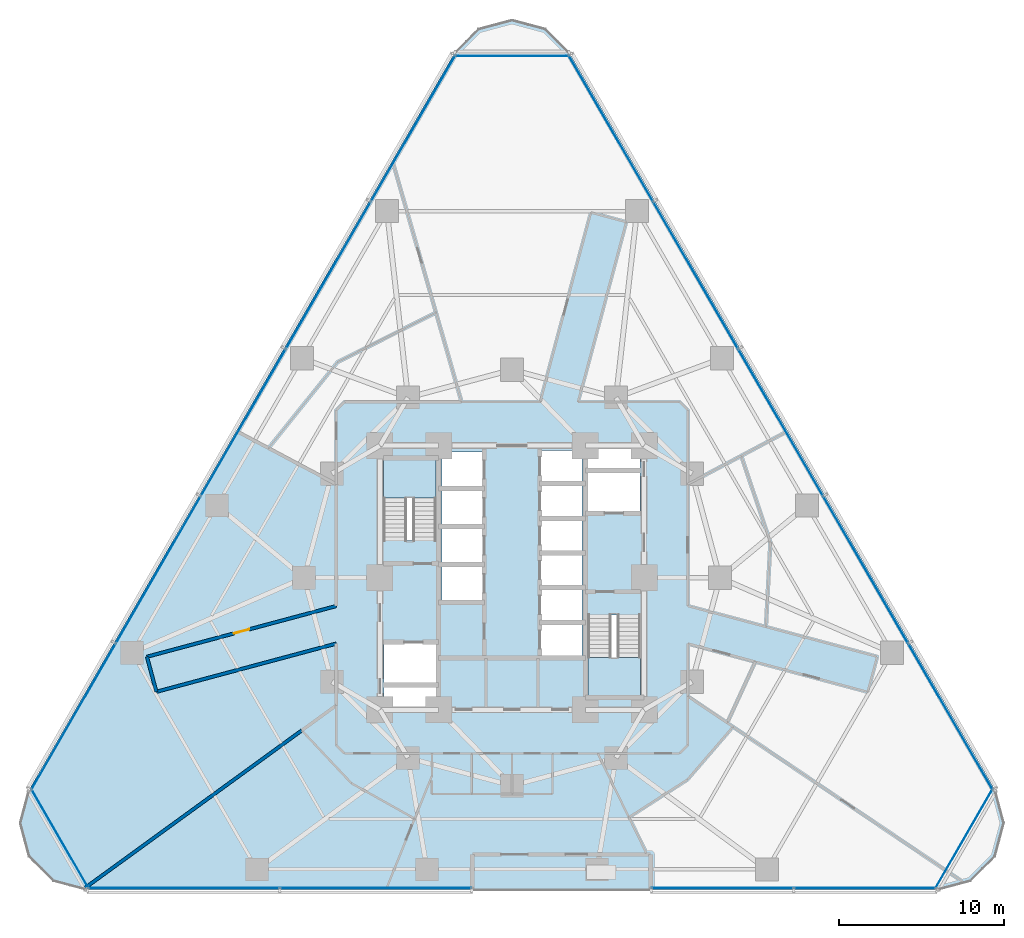
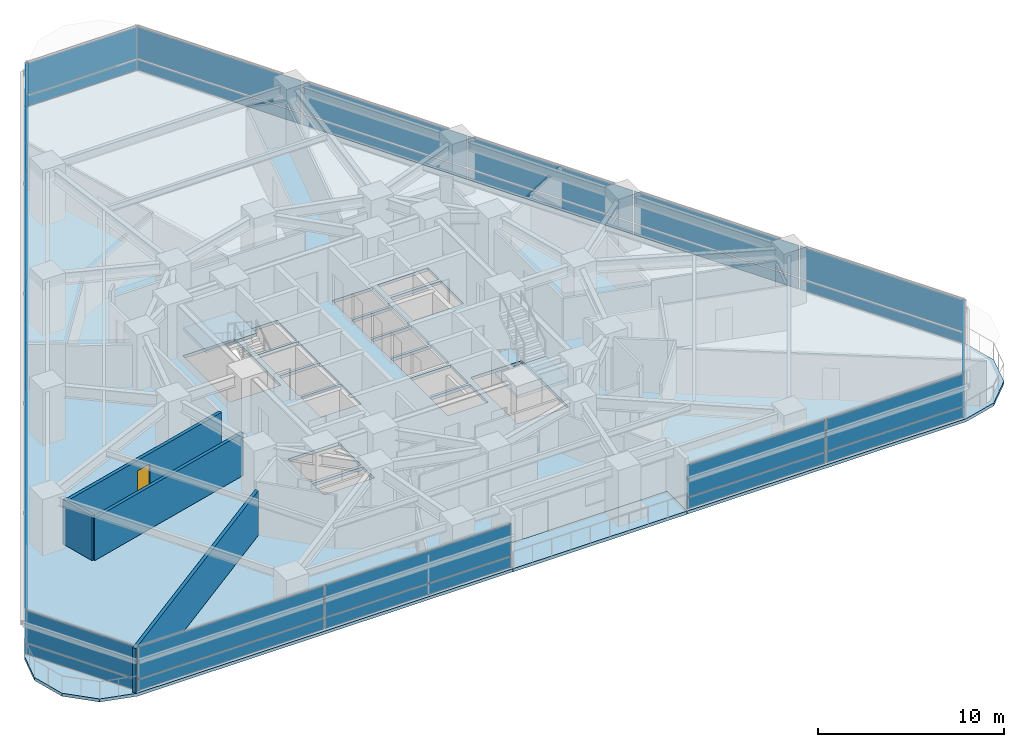
# One storey, part 7 of 16: 34 plates, 4 slabs, 4 walls, 1 door, 1 opening, 9 elements without a shape of their own.
"""IFC4 building model written with IfcOpenShell, lengths in metres."""

from ifc_helpers import new_model, si_unit, direction, frame, frame_2d, origin, origin_2d, place, context, subcontext, project, spatial, polyline, rectangle, outline, extrude, material, layer, layer_set, type_object, element, fill, aggregate, save


model = new_model("IFC4")

# Units and contexts
model_context = context("Model", 3, precision=1e-05, world=origin(), true_north=direction((0.0, 1.0)))
body_context = subcontext(model_context, "Body", "Model", "MODEL_VIEW")
ifc_project = project(units=[si_unit("LENGTHUNIT", "METRE"), si_unit("AREAUNIT", "SQUARE_METRE"), si_unit("VOLUMEUNIT", "CUBIC_METRE"), si_unit("PLANEANGLEUNIT", "RADIAN"), si_unit("MASSUNIT", "GRAM", prefix="KILO")], contexts=[model_context])

# Site, building, storey
site_placement = place(None, origin())
site = spatial("IfcSite", under=ifc_project, at=site_placement, CompositionType="ELEMENT")
building_placement = place(site_placement, origin())
building = spatial("IfcBuilding", under=site, at=building_placement, Name="Terralouvre Media Tower", CompositionType="ELEMENT")
storey_placement = place(building_placement, frame((0.0, 0.0, 44.5)))
storey = spatial("IfcBuildingStorey", under=building, at=storey_placement, Name="L10", CompositionType="ELEMENT", Elevation=44.5)

# Slabs
ifc_material_1 = material(Name="Concrete C40/50", Category="concrete")
ifc_layer_1 = layer(ifc_material_1, 0.199951171875, Name="Composite Tower Floor Slab S-TYP200")
ifc_layer_set_1 = layer_set([ifc_layer_1], Name="Concrete C40/50")
slab_type_1 = type_object("IfcSlabType", Name="Composite Tower Floor Slab S-TYP200", PredefinedType="FLOOR", material=ifc_layer_set_1)
slab_1_placement = place(storey_placement, frame((0.0, 0.0, -0.199951171875)))
element("IfcSlab", 1, at=slab_1_placement, inside=storey, type_object=slab_type_1, Name="L10 Structural Floor Slab", PredefinedType="FLOOR", context=body_context, shape_type="SweptSolid", body=[
    extrude(outline(polyline([(-25.75, -18.916748046875), (-2.39990234375, -18.916748046875), (-2.39990234375, -16.766845703125), (8.39990234375, -16.766845703125), (8.39990234375, -18.916748046875), (25.75, -18.916748046875), (27.77490234375, -18.374267578125), (29.25732421875, -16.891845703125), (29.800048828125, -14.86669921875), (29.25732421875, -12.841796875), (3.50732421875, 31.758544921875), (2.02490234375, 33.240966796875), (0.0, 33.783447265625), (-2.02490234375, 33.240966796875), (-3.50732421875, 31.758544921875), (-29.25732421875, -12.841796875), (-29.800048828125, -14.86669921875), (-29.25732421875, -16.891845703125), (-27.77490234375, -18.374267578125), (-25.75, -18.916748046875)]), holes=[polyline([(-4.60009765625, -7.800048828125), (-7.75, -7.800048828125), (-7.75, -6.60009765625), (-4.60009765625, -6.60009765625), (-4.60009765625, -7.800048828125)]), polyline([(-4.60009765625, -6.39990234375), (-7.75, -6.39990234375), (-7.75, -3.949951171875), (-4.60009765625, -3.949951171875), (-4.60009765625, -6.39990234375)]), polyline([(-1.75, -1.419921875), (-4.25, -1.419921875), (-4.25, 0.719970703125), (-1.75, 0.719970703125), (-1.75, -1.419921875)]), polyline([(-1.75, 0.8798828125), (-4.25, 0.8798828125), (-4.25, 3.02001953125), (-1.75, 3.02001953125), (-1.75, 0.8798828125)]), polyline([(4.25, 1.580078125), (1.75, 1.580078125), (1.75, 3.52001953125), (4.25, 3.52001953125), (4.25, 1.580078125)]), polyline([(-1.75, 3.179931640625), (-4.25, 3.179931640625), (-4.25, 5.320068359375), (-1.75, 5.320068359375), (-1.75, 3.179931640625)]), polyline([(-4.60009765625, 2.2451171875), (-7.780029296875, 2.2451171875), (-7.780029296875, 7.260009765625), (-4.60009765625, 7.260009765625), (-4.60009765625, 2.2451171875)]), polyline([(-1.75, 5.47998046875), (-4.25, 5.47998046875), (-4.25, 7.6201171875), (-1.75, 7.6201171875), (-1.75, 5.47998046875)]), polyline([(4.60009765625, -2.2451171875), (7.780029296875, -2.2451171875), (7.780029296875, -7.260009765625), (4.60009765625, -7.260009765625), (4.60009765625, -2.2451171875)]), polyline([(4.25, -4.719970703125), (1.75, -4.719970703125), (1.75, -2.780029296875), (4.25, -2.780029296875), (4.25, -4.719970703125)]), polyline([(4.25, -2.6201171875), (1.75, -2.6201171875), (1.75, -0.679931640625), (4.25, -0.679931640625), (4.25, -2.6201171875)]), polyline([(4.25, -0.52001953125), (1.75, -0.52001953125), (1.75, 1.419921875), (4.25, 1.419921875), (4.25, -0.52001953125)]), polyline([(4.25, 3.679931640625), (1.75, 3.679931640625), (1.75, 5.6201171875), (4.25, 5.6201171875), (4.25, 3.679931640625)]), polyline([(7.75, 3.949951171875), (4.60009765625, 3.949951171875), (4.60009765625, 6.39990234375), (7.75, 6.39990234375), (7.75, 3.949951171875)]), polyline([(4.25, 5.780029296875), (1.75, 5.780029296875), (1.75, 7.719970703125), (4.25, 7.719970703125), (4.25, 5.780029296875)]), polyline([(7.75, 6.60009765625), (4.60009765625, 6.60009765625), (4.60009765625, 7.800048828125), (7.75, 7.800048828125), (7.75, 6.60009765625)])]), origin(), (0.0, 0.0, 1.0), 0.199951171875),
])
ifc_material_2 = material(Name="Concrete C45/55", Category="concrete")
ifc_layer_2 = layer(ifc_material_2, 0.2099609375, Name="Planted Sky-Garden External Deck S-TER210")
ifc_layer_set_2 = layer_set([ifc_layer_2], Name="Concrete C45/55")
slab_type_2 = type_object("IfcSlabType", Name="Planted Sky-Garden External Deck S-TER210", PredefinedType="FLOOR", material=ifc_layer_set_2)
slab_2_placement = place(storey_placement, frame((0.0, 0.0, -0.2099609375)))
element("IfcSlab", 2, at=slab_2_placement, inside=storey, type_object=slab_type_2, Name="L10 Helical Planted Sky-Garden Deck 02", PredefinedType="FLOOR", context=body_context, shape_type="SweptSolid", body=[
    extrude(outline(polyline([(-2.39990234375, -18.916748046875), (8.39990234375, -18.916748046875), (8.39990234375, -16.766845703125), (-2.39990234375, -16.766845703125), (-2.39990234375, -18.916748046875)])), origin(), (0.0, 0.0, 1.0), 0.2099609375),
])

# Stair, slab
ifc_material_3 = material(Name="Concrete C45/55", Category="concrete")
stair_type_1 = type_object("IfcStairType", Name="Dogleg Stair Assembly ST-01", PredefinedType="HALF_TURN_STAIR", material=ifc_material_3)
stair_1_placement = place(storey_placement, origin())
stair_1 = element("IfcStair", 3, at=stair_1_placement, inside=storey, type_object=stair_type_1, Name="L10 Core Pressurised Exit Stair ST-01", PredefinedType="HALF_TURN_STAIR")
ifc_material_4 = material(Name="Concrete C45/55", Category="concrete")
ifc_layer_3 = layer(ifc_material_4, 0.199951171875, Name="Reinforced Concrete Stair Half-Landing SL-LD1")
ifc_layer_set_3 = layer_set([ifc_layer_3], Name="Concrete C45/55")
slab_type_3 = type_object("IfcSlabType", Name="Reinforced Concrete Stair Half-Landing SL-LD1", PredefinedType="LANDING", material=ifc_layer_set_3)
slab_3_placement = place(storey_placement, frame((0.0, 0.0, 1.64990234375)))
slab_3 = element("IfcSlab", 4, at=slab_3_placement, type_object=slab_type_3, Name="ST-01 landing 1", PredefinedType="LANDING", context=body_context, shape_type="SweptSolid", body=[
    extrude(outline(polyline([(-4.60009765625, 4.820068359375), (-4.60009765625, 7.260009765625), (-7.780029296875, 7.260009765625), (-7.780029296875, 4.820068359375), (-4.60009765625, 4.820068359375)])), origin(), (0.0, 0.0, 1.0), 0.2001953125),
])
aggregate(stair_1, [slab_3])

ifc_material_5 = material(Name="Concrete C45/55", Category="concrete")
stair_type_2 = type_object("IfcStairType", Name="Dogleg Stair Assembly ST-02", PredefinedType="HALF_TURN_STAIR", material=ifc_material_5)
stair_2_placement = place(storey_placement, origin())
stair_2 = element("IfcStair", 5, at=stair_2_placement, inside=storey, type_object=stair_type_2, Name="L10 Core Pressurised Exit Stair ST-02", PredefinedType="HALF_TURN_STAIR")
slab_4_placement = place(storey_placement, frame((0.0, 0.0, 1.64990234375)))
slab_4 = element("IfcSlab", 6, at=slab_4_placement, type_object=slab_type_3, Name="ST-02 landing 1", PredefinedType="LANDING", context=body_context, shape_type="SweptSolid", body=[
    extrude(outline(polyline([(4.60009765625, -4.820068359375), (4.60009765625, -7.260009765625), (7.780029296875, -7.260009765625), (7.780029296875, -4.820068359375), (4.60009765625, -4.820068359375)])), origin(), (0.0, 0.0, 1.0), 0.2001953125),
])
aggregate(stair_2, [slab_4])

# Curtain wall, plates
ifc_material_6 = material(Name="Low-iron laminated double glazing with solar-control coating", Category="glass")
ifc_layer_4 = layer(ifc_material_6, 0.1650390625, Name="Rounded Wind-Corner Curved Glazing CW-04")
ifc_layer_set_4 = layer_set([ifc_layer_4], Name="Low-iron laminated double glazing with solar-control coating")
curtain_wall_type_1 = type_object("IfcCurtainWallType", Name="Rounded Wind-Corner Curved Glazing CW-04", PredefinedType="NOTDEFINED", material=ifc_layer_set_4)
curtain_wall_1_placement = place(storey_placement, origin())
curtain_wall_1 = element("IfcCurtainWall", 7, at=curtain_wall_1_placement, inside=storey, type_object=curtain_wall_type_1, Name="L10 Rounded Wind-Corner Curtain Wall C0", PredefinedType="NOTDEFINED")
ifc_material_7 = material(Name="Low-iron laminated double glazing with solar-control coating", Category="glass")
ifc_layer_5 = layer(ifc_material_7, 0.0400390625, Name="Rounded Corner Laminated Vision Panel CWP-03")
ifc_layer_set_5 = layer_set([ifc_layer_5], Name="Low-iron laminated double glazing with solar-control coating")
plate_type_1 = type_object("IfcPlateType", Name="Rounded Corner Laminated Vision Panel CWP-03", PredefinedType="CURTAIN_PANEL", material=ifc_layer_set_5)
plate_1_placement = place(storey_placement, frame((-27.382568359375, -15.809326171875, 0.074951171875), z_axis=(0.0, 0.0, 1.0), x_axis=(0.499999691503, -0.866025581895, 0.0)))
plate_1 = element("IfcPlate", 8, at=plate_1_placement, type_object=plate_type_1, Name="CW-04 panel 1.1", PredefinedType="CURTAIN_PANEL", context=body_context, shape_type="SweptSolid", body=[
    extrude(rectangle(XDim=6.86474609375, YDim=0.035888671875, at=origin_2d()), origin(), (0.0, 0.0, 1.0), 0.6875),
])
plate_2_placement = place(storey_placement, frame((-27.382568359375, -15.809326171875, 0.837646484375), z_axis=(0.0, 0.0, 1.0), x_axis=(0.499999691503, -0.866025581895, 0.0)))
plate_2 = element("IfcPlate", 9, at=plate_2_placement, type_object=plate_type_1, Name="CW-04 panel 1.2", PredefinedType="CURTAIN_PANEL", context=body_context, shape_type="SweptSolid", body=[
    extrude(rectangle(XDim=6.86474609375, YDim=0.035888671875, at=origin_2d()), origin(), (0.0, 0.0, 1.0), 2.08740234375),
])
aggregate(curtain_wall_1, [plate_1, plate_2])

curtain_wall_2_placement = place(storey_placement, origin())
curtain_wall_2 = element("IfcCurtainWall", 10, at=curtain_wall_2_placement, inside=storey, type_object=curtain_wall_type_1, Name="L10 Rounded Wind-Corner Curtain Wall C1", PredefinedType="NOTDEFINED")
plate_3_placement = place(storey_placement, frame((27.382568359375, -15.809326171875, 0.074951171875), z_axis=(0.0, 0.0, 1.0), x_axis=(0.499999691503, 0.866025581895, 0.0)))
plate_3 = element("IfcPlate", 11, at=plate_3_placement, type_object=plate_type_1, Name="CW-04 panel 1.1", PredefinedType="CURTAIN_PANEL", context=body_context, shape_type="SweptSolid", body=[
    extrude(rectangle(XDim=6.86474609375, YDim=0.035888671875, at=origin_2d()), origin(), (0.0, 0.0, 1.0), 0.6875),
])
plate_4_placement = place(storey_placement, frame((27.382568359375, -15.809326171875, 0.837646484375), z_axis=(0.0, 0.0, 1.0), x_axis=(0.499999691503, 0.866025581895, 0.0)))
plate_4 = element("IfcPlate", 12, at=plate_4_placement, type_object=plate_type_1, Name="CW-04 panel 1.2", PredefinedType="CURTAIN_PANEL", context=body_context, shape_type="SweptSolid", body=[
    extrude(rectangle(XDim=6.86474609375, YDim=0.035888671875, at=origin_2d()), origin(), (0.0, 0.0, 1.0), 2.08740234375),
])
aggregate(curtain_wall_2, [plate_3, plate_4])

curtain_wall_3_placement = place(storey_placement, origin())
curtain_wall_3 = element("IfcCurtainWall", 13, at=curtain_wall_3_placement, inside=storey, type_object=curtain_wall_type_1, Name="L10 Rounded Wind-Corner Curtain Wall C2", PredefinedType="NOTDEFINED")
plate_5_placement = place(storey_placement, frame((0.0, 31.61865234375, 0.074951171875), z_axis=(0.0, 0.0, 1.0), x_axis=(-1.0, 0.0, 0.0)))
plate_5 = element("IfcPlate", 14, at=plate_5_placement, type_object=plate_type_1, Name="CW-04 panel 1.1", PredefinedType="CURTAIN_PANEL", context=body_context, shape_type="SweptSolid", body=[
    extrude(rectangle(XDim=6.86474609375, YDim=0.035888671875, at=origin_2d()), origin(), (0.0, 0.0, 1.0), 0.6875),
])
plate_6_placement = place(storey_placement, frame((0.0, 31.61865234375, 0.837646484375), z_axis=(0.0, 0.0, 1.0), x_axis=(-1.0, 0.0, 0.0)))
plate_6 = element("IfcPlate", 15, at=plate_6_placement, type_object=plate_type_1, Name="CW-04 panel 1.2", PredefinedType="CURTAIN_PANEL", context=body_context, shape_type="SweptSolid", body=[
    extrude(rectangle(XDim=6.86474609375, YDim=0.035888671875, at=origin_2d()), origin(), (0.0, 0.0, 1.0), 2.08740234375),
])
aggregate(curtain_wall_3, [plate_5, plate_6])

ifc_material_8 = material(Name="Low-iron laminated double glazing with solar-control coating", Category="glass")
ifc_layer_6 = layer(ifc_material_8, 0.1650390625, Name="Lower Media Tower Unitised Curtain Wall CW-02")
ifc_layer_set_6 = layer_set([ifc_layer_6], Name="Low-iron laminated double glazing with solar-control coating")
curtain_wall_type_2 = type_object("IfcCurtainWallType", Name="Lower Media Tower Unitised Curtain Wall CW-02", PredefinedType="NOTDEFINED", material=ifc_layer_set_6)
curtain_wall_4_placement = place(storey_placement, origin())
curtain_wall_4 = element("IfcCurtainWall", 16, at=curtain_wall_4_placement, inside=storey, type_object=curtain_wall_type_2, Name="L10 Left Flank Curtain Wall F0", PredefinedType="NOTDEFINED")
ifc_material_9 = material(Name="Low-iron laminated double glazing with solar-control coating", Category="glass")
ifc_layer_7 = layer(ifc_material_9, 0.035888671875, Name="Vision Double-Glazed Unit CWP-01")
ifc_layer_set_7 = layer_set([ifc_layer_7], Name="Low-iron laminated double glazing with solar-control coating")
plate_type_2 = type_object("IfcPlateType", Name="Vision Double-Glazed Unit CWP-01", PredefinedType="CURTAIN_PANEL", material=ifc_layer_set_7)
plate_7_placement = place(storey_placement, frame((-19.893798828125, -18.796875, 0.074951171875), z_axis=(0.0, 0.0, 1.0), x_axis=(1.0, 0.0, 0.0)))
plate_7 = element("IfcPlate", 17, at=plate_7_placement, type_object=plate_type_2, Name="CW-02 panel 1.1", PredefinedType="CURTAIN_PANEL", context=body_context, shape_type="SweptSolid", body=[
    extrude(rectangle(XDim=11.5625, YDim=0.035888671875, at=origin_2d()), origin(), (0.0, 0.0, 1.0), 0.6875),
])
plate_8_placement = place(storey_placement, frame((-19.893798828125, -18.796875, 0.837646484375), z_axis=(0.0, 0.0, 1.0), x_axis=(1.0, 0.0, 0.0)))
plate_8 = element("IfcPlate", 18, at=plate_8_placement, type_object=plate_type_2, Name="CW-02 panel 1.2", PredefinedType="CURTAIN_PANEL", context=body_context, shape_type="SweptSolid", body=[
    extrude(rectangle(XDim=11.5625, YDim=0.035888671875, at=origin_2d()), origin(), (0.0, 0.0, 1.0), 2.08740234375),
])
plate_9_placement = place(storey_placement, frame((-8.25634765625, -18.796875, 0.074951171875), z_axis=(0.0, 0.0, 1.0), x_axis=(1.0, 0.0, 0.0)))
plate_9 = element("IfcPlate", 19, at=plate_9_placement, type_object=plate_type_2, Name="CW-02 panel 2.1", PredefinedType="CURTAIN_PANEL", context=body_context, shape_type="SweptSolid", body=[
    extrude(rectangle(XDim=11.5625, YDim=0.035888671875, at=origin_2d()), origin(), (0.0, 0.0, 1.0), 0.6875),
])
plate_10_placement = place(storey_placement, frame((-8.25634765625, -18.796875, 0.837646484375), z_axis=(0.0, 0.0, 1.0), x_axis=(1.0, 0.0, 0.0)))
plate_10 = element("IfcPlate", 20, at=plate_10_placement, type_object=plate_type_2, Name="CW-02 panel 2.2", PredefinedType="CURTAIN_PANEL", context=body_context, shape_type="SweptSolid", body=[
    extrude(rectangle(XDim=11.5625, YDim=0.035888671875, at=origin_2d()), origin(), (0.0, 0.0, 1.0), 2.08740234375),
])
aggregate(curtain_wall_4, [plate_7, plate_8, plate_9, plate_10])

curtain_wall_5_placement = place(storey_placement, origin())
curtain_wall_5 = element("IfcCurtainWall", 21, at=curtain_wall_5_placement, inside=storey, type_object=curtain_wall_type_2, Name="L10 Right Flank Curtain Wall F0", PredefinedType="NOTDEFINED")
plate_11_placement = place(storey_placement, frame((12.75634765625, -18.796875, 0.074951171875), z_axis=(0.0, 0.0, 1.0), x_axis=(1.0, 0.0, 0.0)))
plate_11 = element("IfcPlate", 22, at=plate_11_placement, type_object=plate_type_2, Name="CW-02 panel 1.1", PredefinedType="CURTAIN_PANEL", context=body_context, shape_type="SweptSolid", body=[
    extrude(rectangle(XDim=8.5625, YDim=0.035888671875, at=origin_2d()), origin(), (0.0, 0.0, 1.0), 0.6875),
])
plate_12_placement = place(storey_placement, frame((12.75634765625, -18.796875, 0.837646484375), z_axis=(0.0, 0.0, 1.0), x_axis=(1.0, 0.0, 0.0)))
plate_12 = element("IfcPlate", 23, at=plate_12_placement, type_object=plate_type_2, Name="CW-02 panel 1.2", PredefinedType="CURTAIN_PANEL", context=body_context, shape_type="SweptSolid", body=[
    extrude(rectangle(XDim=8.5625, YDim=0.035888671875, at=origin_2d()), origin(), (0.0, 0.0, 1.0), 2.08740234375),
])
plate_13_placement = place(storey_placement, frame((21.393798828125, -18.796875, 0.074951171875), z_axis=(0.0, 0.0, 1.0), x_axis=(1.0, 0.0, 0.0)))
plate_13 = element("IfcPlate", 24, at=plate_13_placement, type_object=plate_type_2, Name="CW-02 panel 2.1", PredefinedType="CURTAIN_PANEL", context=body_context, shape_type="SweptSolid", body=[
    extrude(rectangle(XDim=8.5625, YDim=0.035888671875, at=origin_2d()), origin(), (0.0, 0.0, 1.0), 0.6875),
])
plate_14_placement = place(storey_placement, frame((21.393798828125, -18.796875, 0.837646484375), z_axis=(0.0, 0.0, 1.0), x_axis=(1.0, 0.0, 0.0)))
plate_14 = element("IfcPlate", 25, at=plate_14_placement, type_object=plate_type_2, Name="CW-02 panel 2.2", PredefinedType="CURTAIN_PANEL", context=body_context, shape_type="SweptSolid", body=[
    extrude(rectangle(XDim=8.5625, YDim=0.035888671875, at=origin_2d()), origin(), (0.0, 0.0, 1.0), 2.08740234375),
])
aggregate(curtain_wall_5, [plate_11, plate_12, plate_13, plate_14])

curtain_wall_6_placement = place(storey_placement, origin())
curtain_wall_6 = element("IfcCurtainWall", 26, at=curtain_wall_6_placement, inside=storey, type_object=curtain_wall_type_2, Name="L10 Facade Curtain Wall F1", PredefinedType="NOTDEFINED")
plate_15_placement = place(storey_placement, frame((26.569091796875, -8.425537109375, 0.074951171875), z_axis=(0.0, 0.0, 1.0), x_axis=(-0.499999985671, 0.866025412057, 0.0)))
plate_15 = element("IfcPlate", 27, at=plate_15_placement, type_object=plate_type_2, Name="CW-02 panel 1.1", PredefinedType="CURTAIN_PANEL", context=body_context, shape_type="SweptSolid", body=[
    extrude(rectangle(XDim=10.1875, YDim=0.035888671875, at=origin_2d()), origin(), (0.0, 0.0, 1.0), 0.6875),
])
plate_16_placement = place(storey_placement, frame((26.569091796875, -8.425537109375, 0.837646484375), z_axis=(0.0, 0.0, 1.0), x_axis=(-0.499999985671, 0.866025412057, 0.0)))
plate_16 = element("IfcPlate", 28, at=plate_16_placement, type_object=plate_type_2, Name="CW-02 panel 1.2", PredefinedType="CURTAIN_PANEL", context=body_context, shape_type="SweptSolid", body=[
    extrude(rectangle(XDim=10.1875, YDim=0.035888671875, at=origin_2d()), origin(), (0.0, 0.0, 1.0), 2.08740234375),
])
plate_17_placement = place(storey_placement, frame((21.428466796875, 0.478271484375, 0.074951171875), z_axis=(0.0, 0.0, 1.0), x_axis=(-0.499999985671, 0.866025412057, 0.0)))
plate_17 = element("IfcPlate", 29, at=plate_17_placement, type_object=plate_type_2, Name="CW-02 panel 2.1", PredefinedType="CURTAIN_PANEL", context=body_context, shape_type="SweptSolid", body=[
    extrude(rectangle(XDim=10.22509765625, YDim=0.035888671875, at=origin_2d()), origin(), (0.0, 0.0, 1.0), 0.6875),
])
plate_18_placement = place(storey_placement, frame((21.428466796875, 0.478271484375, 0.837646484375), z_axis=(0.0, 0.0, 1.0), x_axis=(-0.499999985671, 0.866025412057, 0.0)))
plate_18 = element("IfcPlate", 30, at=plate_18_placement, type_object=plate_type_2, Name="CW-02 panel 2.2", PredefinedType="CURTAIN_PANEL", context=body_context, shape_type="SweptSolid", body=[
    extrude(rectangle(XDim=10.22509765625, YDim=0.035888671875, at=origin_2d()), origin(), (0.0, 0.0, 1.0), 2.08740234375),
])
plate_19_placement = place(storey_placement, frame((16.278564453125, 9.3984375, 0.074951171875), z_axis=(0.0, 0.0, 1.0), x_axis=(-0.499999985671, 0.866025412057, 0.0)))
plate_19 = element("IfcPlate", 31, at=plate_19_placement, type_object=plate_type_2, Name="CW-02 panel 3.1", PredefinedType="CURTAIN_PANEL", context=body_context, shape_type="SweptSolid", body=[
    extrude(rectangle(XDim=10.22509765625, YDim=0.035888671875, at=origin_2d()), origin(), (0.0, 0.0, 1.0), 0.6875),
])
plate_20_placement = place(storey_placement, frame((16.278564453125, 9.3984375, 0.837646484375), z_axis=(0.0, 0.0, 1.0), x_axis=(-0.499999985671, 0.866025412057, 0.0)))
plate_20 = element("IfcPlate", 32, at=plate_20_placement, type_object=plate_type_2, Name="CW-02 panel 3.2", PredefinedType="CURTAIN_PANEL", context=body_context, shape_type="SweptSolid", body=[
    extrude(rectangle(XDim=10.22509765625, YDim=0.035888671875, at=origin_2d()), origin(), (0.0, 0.0, 1.0), 2.08740234375),
])
plate_21_placement = place(storey_placement, frame((11.12841796875, 18.318359375, 0.074951171875), z_axis=(0.0, 0.0, 1.0), x_axis=(-0.499999985671, 0.866025412057, 0.0)))
plate_21 = element("IfcPlate", 33, at=plate_21_placement, type_object=plate_type_2, Name="CW-02 panel 4.1", PredefinedType="CURTAIN_PANEL", context=body_context, shape_type="SweptSolid", body=[
    extrude(rectangle(XDim=10.22509765625, YDim=0.035888671875, at=origin_2d()), origin(), (0.0, 0.0, 1.0), 0.6875),
])
plate_22_placement = place(storey_placement, frame((11.12841796875, 18.318359375, 0.837646484375), z_axis=(0.0, 0.0, 1.0), x_axis=(-0.499999985671, 0.866025412057, 0.0)))
plate_22 = element("IfcPlate", 34, at=plate_22_placement, type_object=plate_type_2, Name="CW-02 panel 4.2", PredefinedType="CURTAIN_PANEL", context=body_context, shape_type="SweptSolid", body=[
    extrude(rectangle(XDim=10.22509765625, YDim=0.035888671875, at=origin_2d()), origin(), (0.0, 0.0, 1.0), 2.08740234375),
])
plate_23_placement = place(storey_placement, frame((5.98779296875, 27.22216796875, 0.074951171875), z_axis=(0.0, 0.0, 1.0), x_axis=(-0.499999985671, 0.866025412057, 0.0)))
plate_23 = element("IfcPlate", 35, at=plate_23_placement, type_object=plate_type_2, Name="CW-02 panel 5.1", PredefinedType="CURTAIN_PANEL", context=body_context, shape_type="SweptSolid", body=[
    extrude(rectangle(XDim=10.1875, YDim=0.035888671875, at=origin_2d()), origin(), (0.0, 0.0, 1.0), 0.6875),
])
plate_24_placement = place(storey_placement, frame((5.98779296875, 27.22216796875, 0.837646484375), z_axis=(0.0, 0.0, 1.0), x_axis=(-0.499999985671, 0.866025412057, 0.0)))
plate_24 = element("IfcPlate", 36, at=plate_24_placement, type_object=plate_type_2, Name="CW-02 panel 5.2", PredefinedType="CURTAIN_PANEL", context=body_context, shape_type="SweptSolid", body=[
    extrude(rectangle(XDim=10.1875, YDim=0.035888671875, at=origin_2d()), origin(), (0.0, 0.0, 1.0), 2.08740234375),
])
aggregate(curtain_wall_6, [plate_15, plate_16, plate_17, plate_18, plate_19, plate_20, plate_21, plate_22, plate_23, plate_24])

curtain_wall_7_placement = place(storey_placement, origin())
curtain_wall_7 = element("IfcCurtainWall", 37, at=curtain_wall_7_placement, inside=storey, type_object=curtain_wall_type_2, Name="L10 Facade Curtain Wall F2", PredefinedType="NOTDEFINED")
plate_25_placement = place(storey_placement, frame((-5.98779296875, 27.22216796875, 0.074951171875), z_axis=(0.0, 0.0, 1.0), x_axis=(-0.499999985671, -0.866025412057, 0.0)))
plate_25 = element("IfcPlate", 38, at=plate_25_placement, type_object=plate_type_2, Name="CW-02 panel 1.1", PredefinedType="CURTAIN_PANEL", context=body_context, shape_type="SweptSolid", body=[
    extrude(rectangle(XDim=10.1875, YDim=0.035888671875, at=origin_2d()), origin(), (0.0, 0.0, 1.0), 0.6875),
])
plate_26_placement = place(storey_placement, frame((-5.98779296875, 27.22216796875, 0.837646484375), z_axis=(0.0, 0.0, 1.0), x_axis=(-0.499999985671, -0.866025412057, 0.0)))
plate_26 = element("IfcPlate", 39, at=plate_26_placement, type_object=plate_type_2, Name="CW-02 panel 1.2", PredefinedType="CURTAIN_PANEL", context=body_context, shape_type="SweptSolid", body=[
    extrude(rectangle(XDim=10.1875, YDim=0.035888671875, at=origin_2d()), origin(), (0.0, 0.0, 1.0), 2.08740234375),
])
plate_27_placement = place(storey_placement, frame((-11.12841796875, 18.318359375, 0.074951171875), z_axis=(0.0, 0.0, 1.0), x_axis=(-0.499999985671, -0.866025412057, 0.0)))
plate_27 = element("IfcPlate", 40, at=plate_27_placement, type_object=plate_type_2, Name="CW-02 panel 2.1", PredefinedType="CURTAIN_PANEL", context=body_context, shape_type="SweptSolid", body=[
    extrude(rectangle(XDim=10.22509765625, YDim=0.035888671875, at=origin_2d()), origin(), (0.0, 0.0, 1.0), 0.6875),
])
plate_28_placement = place(storey_placement, frame((-11.12841796875, 18.318359375, 0.837646484375), z_axis=(0.0, 0.0, 1.0), x_axis=(-0.499999985671, -0.866025412057, 0.0)))
plate_28 = element("IfcPlate", 41, at=plate_28_placement, type_object=plate_type_2, Name="CW-02 panel 2.2", PredefinedType="CURTAIN_PANEL", context=body_context, shape_type="SweptSolid", body=[
    extrude(rectangle(XDim=10.22509765625, YDim=0.035888671875, at=origin_2d()), origin(), (0.0, 0.0, 1.0), 2.08740234375),
])
plate_29_placement = place(storey_placement, frame((-16.278564453125, 9.3984375, 0.074951171875), z_axis=(0.0, 0.0, 1.0), x_axis=(-0.499999985671, -0.866025412057, 0.0)))
plate_29 = element("IfcPlate", 42, at=plate_29_placement, type_object=plate_type_2, Name="CW-02 panel 3.1", PredefinedType="CURTAIN_PANEL", context=body_context, shape_type="SweptSolid", body=[
    extrude(rectangle(XDim=10.22509765625, YDim=0.035888671875, at=origin_2d()), origin(), (0.0, 0.0, 1.0), 0.6875),
])
plate_30_placement = place(storey_placement, frame((-16.278564453125, 9.3984375, 0.837646484375), z_axis=(0.0, 0.0, 1.0), x_axis=(-0.499999985671, -0.866025412057, 0.0)))
plate_30 = element("IfcPlate", 43, at=plate_30_placement, type_object=plate_type_2, Name="CW-02 panel 3.2", PredefinedType="CURTAIN_PANEL", context=body_context, shape_type="SweptSolid", body=[
    extrude(rectangle(XDim=10.22509765625, YDim=0.035888671875, at=origin_2d()), origin(), (0.0, 0.0, 1.0), 2.08740234375),
])
plate_31_placement = place(storey_placement, frame((-21.428466796875, 0.478271484375, 0.074951171875), z_axis=(0.0, 0.0, 1.0), x_axis=(-0.499999985671, -0.866025412057, 0.0)))
plate_31 = element("IfcPlate", 44, at=plate_31_placement, type_object=plate_type_2, Name="CW-02 panel 4.1", PredefinedType="CURTAIN_PANEL", context=body_context, shape_type="SweptSolid", body=[
    extrude(rectangle(XDim=10.22509765625, YDim=0.035888671875, at=origin_2d()), origin(), (0.0, 0.0, 1.0), 0.6875),
])
plate_32_placement = place(storey_placement, frame((-21.428466796875, 0.478271484375, 0.837646484375), z_axis=(0.0, 0.0, 1.0), x_axis=(-0.499999985671, -0.866025412057, 0.0)))
plate_32 = element("IfcPlate", 45, at=plate_32_placement, type_object=plate_type_2, Name="CW-02 panel 4.2", PredefinedType="CURTAIN_PANEL", context=body_context, shape_type="SweptSolid", body=[
    extrude(rectangle(XDim=10.22509765625, YDim=0.035888671875, at=origin_2d()), origin(), (0.0, 0.0, 1.0), 2.08740234375),
])
plate_33_placement = place(storey_placement, frame((-26.569091796875, -8.425537109375, 0.074951171875), z_axis=(0.0, 0.0, 1.0), x_axis=(-0.499999985671, -0.866025412057, 0.0)))
plate_33 = element("IfcPlate", 46, at=plate_33_placement, type_object=plate_type_2, Name="CW-02 panel 5.1", PredefinedType="CURTAIN_PANEL", context=body_context, shape_type="SweptSolid", body=[
    extrude(rectangle(XDim=10.1875, YDim=0.035888671875, at=origin_2d()), origin(), (0.0, 0.0, 1.0), 0.6875),
])
plate_34_placement = place(storey_placement, frame((-26.569091796875, -8.425537109375, 0.837646484375), z_axis=(0.0, 0.0, 1.0), x_axis=(-0.499999985671, -0.866025412057, 0.0)))
plate_34 = element("IfcPlate", 47, at=plate_34_placement, type_object=plate_type_2, Name="CW-02 panel 5.2", PredefinedType="CURTAIN_PANEL", context=body_context, shape_type="SweptSolid", body=[
    extrude(rectangle(XDim=10.1875, YDim=0.035888671875, at=origin_2d()), origin(), (0.0, 0.0, 1.0), 2.08740234375),
])
aggregate(curtain_wall_7, [plate_25, plate_26, plate_27, plate_28, plate_29, plate_30, plate_31, plate_32, plate_33, plate_34])

# Wall, opening, door
ifc_material_10 = material(Name="Fire-rated gypsum board drywall partition")
ifc_layer_8 = layer(ifc_material_10, 0.199951171875, Name="Fire-Rated Shaft and Lobby Partition FW-200")
ifc_layer_set_8 = layer_set([ifc_layer_8], Name="Fire-rated gypsum board drywall partition")
wall_type = type_object("IfcWallType", Name="Fire-Rated Shaft and Lobby Partition FW-200", PredefinedType="SOLIDWALL", material=ifc_layer_set_8)
wall_1_placement = place(storey_placement, frame((-10.64990234375, -1.715087890625, 0.0), z_axis=(0.0, 0.0, 1.0), x_axis=(-0.965926659449, -0.258815935688, 0.0)))
wall_1 = element("IfcWall", 48, at=wall_1_placement, inside=storey, type_object=wall_type, Name="L10 Interior Partition 009", PredefinedType="SOLIDWALL", context=body_context, shape_type="SweptSolid", body=[
    extrude(rectangle(XDim=11.86962890625, YDim=0.199951171875, at=frame_2d((5.934814453125, 0.0))), origin(), (0.0, 0.0, 1.0), 2.784912109375),
])
opening_placement = place(wall_1_placement, frame((5.459716796875, 0.0, 0.0)))
opening = element("IfcOpeningElement", 49, at=opening_placement, cuts=wall_1, Name="Opening FD-02-95X210", PredefinedType="OPENING", context=body_context, shape_type="SweptSolid", body=[
    extrude(rectangle(XDim=0.949951171875, YDim=2.10009765625, at=frame_2d((0.47509765625, 1.050048828125))), frame((0.0, 0.10986328125, 0.0), z_axis=(0.0, -1.0, 0.0), x_axis=(1.0, 0.0, 0.0)), (0.0, 0.0, 1.0), 0.219970703125),
])
ifc_material_11 = material(Name="Galvanised steel fire-resisting leaf", Category="steel")
door_type = type_object("IfcDoorType", Name="Plant and Riser Fire Door FD-02 (950x2100)", OperationType="NOTDEFINED", PredefinedType="DOOR", material=ifc_material_11)
door_placement = place(opening_placement, origin())
door = element("IfcDoor", 50, at=door_placement, inside=storey, type_object=door_type, Name="L10 Lighting Dimmer Switch Room 2 Door", OperationType="SINGLE_SWING_LEFT", OverallHeight=2.10009765625, OverallWidth=0.949951171875, PredefinedType="DOOR", context=body_context, shape_type="SweptSolid", body=[
    extrude(rectangle(XDim=0.949951171875, YDim=2.10009765625, at=frame_2d((0.47509765625, 1.050048828125))), frame((0.0, 0.02490234375, 0.0), z_axis=(0.0, -1.0, 0.0), x_axis=(1.0, 0.0, 0.0)), (0.0, 0.0, 1.0), 0.050048828125),
])
fill(opening, door)

# Walls
wall_2_placement = place(storey_placement, frame((-22.114990234375, -4.787109375, 0.0), z_axis=(0.0, 0.0, 1.0), x_axis=(0.259105843213, -0.965848933329, 0.0)))
element("IfcWall", 51, at=wall_2_placement, inside=storey, type_object=wall_type, Name="L10 Interior Partition 010", PredefinedType="SOLIDWALL", context=body_context, shape_type="SweptSolid", body=[
    extrude(rectangle(XDim=2.2001953125, YDim=0.199951171875, at=frame_2d((1.10009765625, 0.0))), origin(), (0.0, 0.0, 1.0), 2.93505859375),
])
wall_3_placement = place(storey_placement, frame((-21.544921875, -6.912109375, 0.0), z_axis=(0.0, 0.0, 1.0), x_axis=(0.965906888357, 0.258889712088, 0.0)))
element("IfcWall", 52, at=wall_3_placement, inside=storey, type_object=wall_type, Name="L10 Interior Partition 011", PredefinedType="SOLIDWALL", context=body_context, shape_type="SweptSolid", body=[
    extrude(rectangle(XDim=11.279541015625, YDim=0.199951171875, at=frame_2d((5.6396484375, 0.0))), origin(), (0.0, 0.0, 1.0), 2.784912109375),
])
wall_4_placement = place(storey_placement, frame((-25.87646484375, -18.800048828125, 0.0), z_axis=(0.0, 0.0, 1.0), x_axis=(0.809014839236, 0.587788218575, 0.0)))
element("IfcWall", 53, at=wall_4_placement, inside=storey, type_object=wall_type, Name="L10 Interior Partition 037", PredefinedType="SOLIDWALL", context=body_context, shape_type="SweptSolid", body=[
    extrude(rectangle(XDim=16.242431640625, YDim=0.199951171875, at=frame_2d((8.12109375, 0.0))), origin(), (0.0, 0.0, 1.0), 2.93505859375),
])

save(model, "model.ifc")
